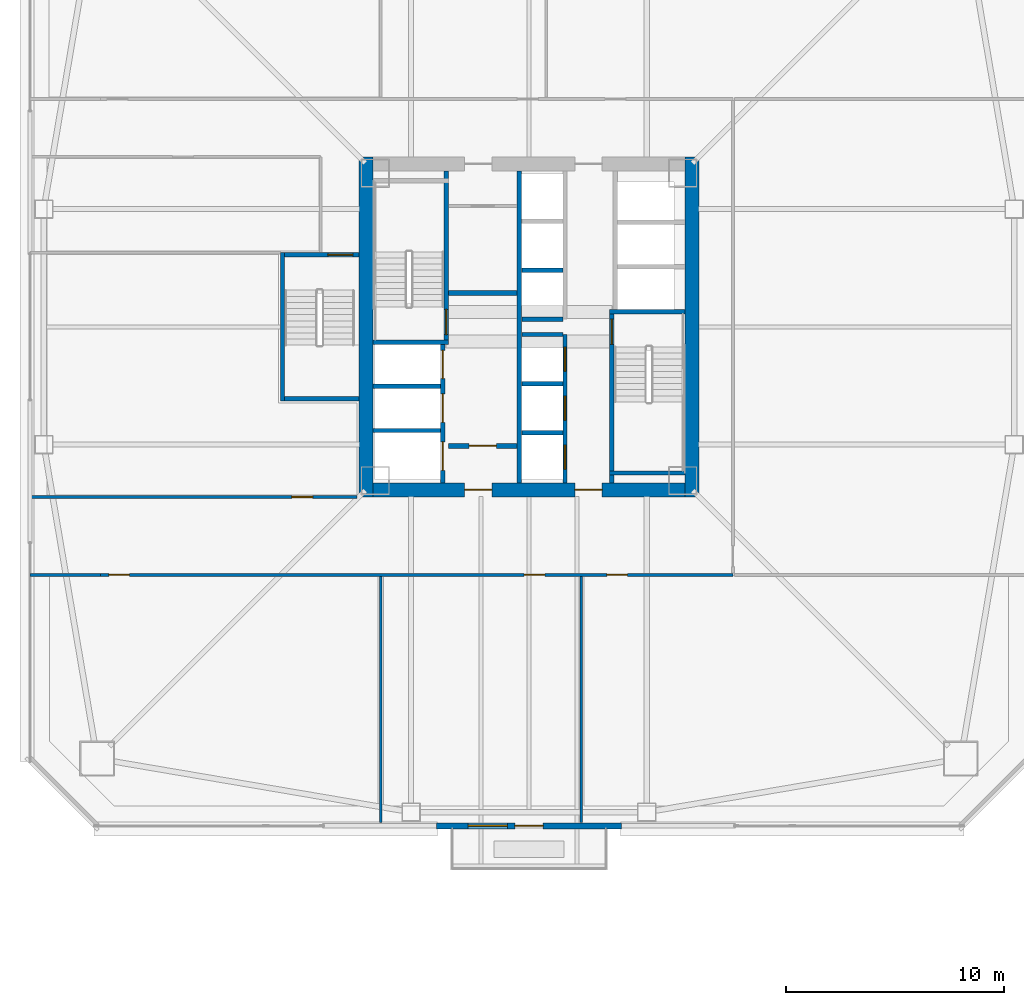
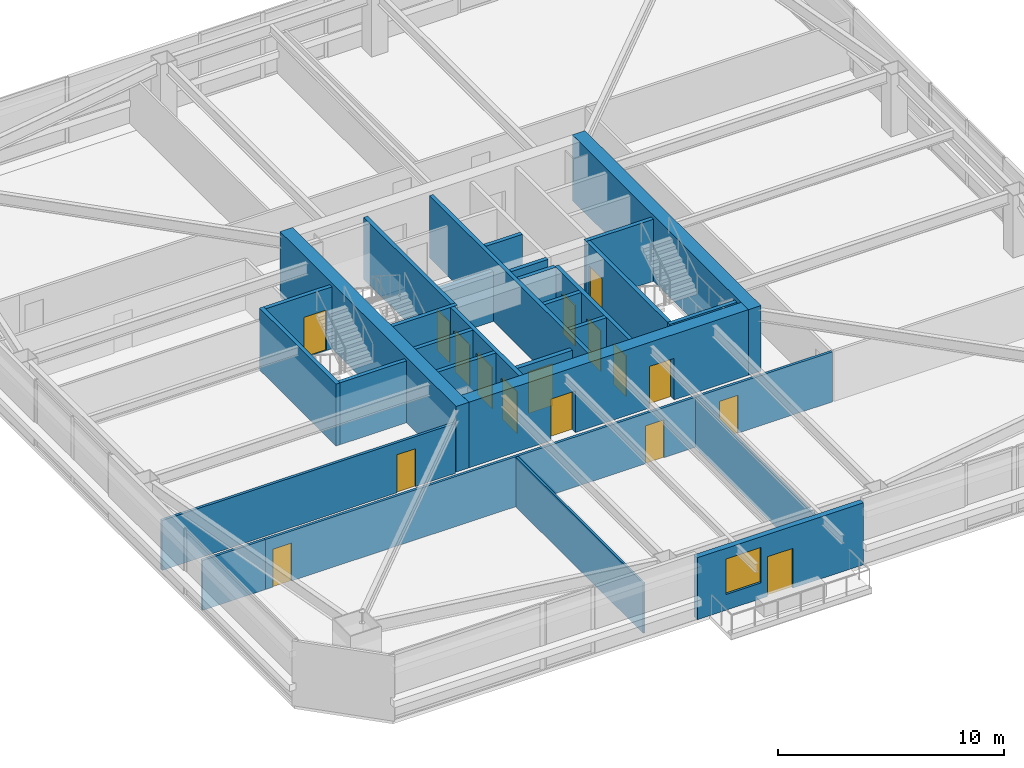
# One storey, part 33 of 45: 29 walls, 17 doors, 1 window, 18 openings.
"""IFC4 building model written with IfcOpenShell, lengths in metres."""

from ifc_helpers import new_model, si_unit, direction, frame, frame_2d, origin, place, context, subcontext, project, spatial, rectangle, extrude, material, layer, layer_set, type_object, element, fill, save


model = new_model("IFC4")

# Units and contexts
model_context = context("Model", 3, precision=1e-05, world=origin(), true_north=direction((0.0, 1.0)))
body_context = subcontext(model_context, "Body", "Model", "MODEL_VIEW")
ifc_project = project(units=[si_unit("LENGTHUNIT", "METRE"), si_unit("AREAUNIT", "SQUARE_METRE"), si_unit("VOLUMEUNIT", "CUBIC_METRE"), si_unit("PLANEANGLEUNIT", "RADIAN"), si_unit("MASSUNIT", "GRAM", prefix="KILO")], contexts=[model_context])

# Site, building, storey
site_placement = place(None, origin())
site = spatial("IfcSite", under=ifc_project, at=site_placement, CompositionType="ELEMENT")
building_placement = place(site_placement, origin())
building = spatial("IfcBuilding", under=site, at=building_placement, Name="Tashvorn Skyway Center", CompositionType="ELEMENT")
storey_placement = place(building_placement, frame((0.0, 0.0, 35.25)))
storey = spatial("IfcBuildingStorey", under=building, at=storey_placement, Name="L08", CompositionType="ELEMENT", Elevation=35.25)

# Walls
ifc_material_1 = material(Name="Concrete C60/75", Category="concrete")
ifc_layer_1 = layer(ifc_material_1, 0.64990234375)
ifc_layer_set_1 = layer_set([ifc_layer_1], Name="Concrete C60/75")
wall_type_1 = type_object("IfcWallType", Name="WALL-CORE-650", PredefinedType="SHEAR", material=ifc_layer_set_1)
for number, where, z_axis, x_axis, name in (
    (1, (34.52490234375, 24.199951171875, 0.0), (0.0, 0.0, 1.0), (0.0, 1.0, 0.0), "Tower 1 L08 West Core Shear Wall"),
    (2, (49.47509765625, 39.800048828125, 0.0), (0.0, 0.0, 1.0), (0.0, -1.0, 0.0), "Tower 1 L08 East Core Shear Wall"),
):
    element("IfcWall", number, at=place(storey_placement, frame(where, z_axis=z_axis, x_axis=x_axis)), inside=storey, type_object=wall_type_1, Name=name, PredefinedType="SHEAR", context=body_context, shape_type="SweptSolid", body=[
        extrude(rectangle(XDim=15.60009765625, YDim=0.64990234375, at=frame_2d((7.800048828125, 0.0))), origin(), (0.0, 0.0, 1.0), 3.550048828125),
    ])

# Wall, openings, doors
wall_1_placement = place(storey_placement, frame((49.14990234375, 24.52490234375, 0.0), z_axis=(0.0, 0.0, 1.0), x_axis=(-1.0, 0.0, 0.0)))
wall_1 = element("IfcWall", 3, at=wall_1_placement, inside=storey, type_object=wall_type_1, Name="Tower 1 L08 South Core Shear Wall", PredefinedType="SHEAR", context=body_context, shape_type="SweptSolid", body=[
    extrude(rectangle(XDim=14.2998046875, YDim=0.64990234375, at=frame_2d((7.14990234375, 0.0))), origin(), (0.0, 0.0, 1.0), 3.550048828125),
])
opening_1_placement = place(wall_1_placement, frame((8.85009765625, 0.0, 0.0)))
opening_1 = element("IfcOpeningElement", 4, at=opening_1_placement, cuts=wall_1, Name="Opening D-FFL-1250", PredefinedType="OPENING", context=body_context, shape_type="SweptSolid", body=[
    extrude(rectangle(XDim=1.25, YDim=2.25, at=frame_2d((0.625, 1.125))), frame((0.0, 0.3349609375, 0.0), z_axis=(0.0, -1.0, 0.0), x_axis=(1.0, 0.0, 0.0)), (0.0, 0.0, 1.0), 0.669921875),
])
opening_2_placement = place(wall_1_placement, frame((3.800048828125, 0.0, 0.0)))
opening_2 = element("IfcOpeningElement", 5, at=opening_2_placement, cuts=wall_1, Name="Opening D-FFL-1250", PredefinedType="OPENING", context=body_context, shape_type="SweptSolid", body=[
    extrude(rectangle(XDim=1.25, YDim=2.25, at=frame_2d((0.625, 1.125))), frame((0.0, 0.3349609375, 0.0), z_axis=(0.0, -1.0, 0.0), x_axis=(1.0, 0.0, 0.0)), (0.0, 0.0, 1.0), 0.669921875),
])
ifc_material_2 = material(Name="Hollow galvanized steel fire door assembly", Category="steel")
door_type_1 = type_object("IfcDoorType", Name="DOOR-FFL-1250", OperationType="NOTDEFINED", PredefinedType="DOOR", material=ifc_material_2)
door_1_placement = place(opening_1_placement, origin())
door_1 = element("IfcDoor", 6, at=door_1_placement, inside=storey, type_object=door_type_1, Name="Tower 1 L08 Core South Firefighting Exit Door", OperationType="SINGLE_SWING_LEFT", OverallHeight=2.25, OverallWidth=1.25, PredefinedType="DOOR", context=body_context, shape_type="SweptSolid", body=[
    extrude(rectangle(XDim=1.25, YDim=2.25, at=frame_2d((0.625, 1.125))), frame((0.0, 0.02490234375, 0.0), z_axis=(0.0, -1.0, 0.0), x_axis=(1.0, 0.0, 0.0)), (0.0, 0.0, 1.0), 0.050048828125),
])
fill(opening_1, door_1)
door_2_placement = place(opening_2_placement, origin())
door_2 = element("IfcDoor", 7, at=door_2_placement, inside=storey, type_object=door_type_1, Name="Tower 1 L08 Core South Lift Lobby Door", OperationType="SINGLE_SWING_RIGHT", OverallHeight=2.25, OverallWidth=1.25, PredefinedType="DOOR", context=body_context, shape_type="SweptSolid", body=[
    extrude(rectangle(XDim=1.25, YDim=2.25, at=frame_2d((0.625, 1.125))), frame((0.0, 0.02490234375, 0.0), z_axis=(0.0, -1.0, 0.0), x_axis=(1.0, 0.0, 0.0)), (0.0, 0.0, 1.0), 0.050048828125),
])
fill(opening_2, door_2)

# Wall, openings, door, window
ifc_material_3 = material(Name="Precast concrete C40/50", Category="concrete")
ifc_layer_2 = layer(ifc_material_3, 0.280029296875)
ifc_layer_set_2 = layer_set([ifc_layer_2], Name="Precast concrete C40/50")
wall_type_2 = type_object("IfcWallType", Name="WALL-EXT-280", PredefinedType="SOLIDWALL", material=ifc_layer_set_2)
wall_2_placement = place(storey_placement, frame((46.25, 9.1201171875, 0.0), z_axis=(0.0, 0.0, 1.0), x_axis=(-1.0, 0.0, 0.0)))
wall_2 = element("IfcWall", 8, at=wall_2_placement, inside=storey, type_object=wall_type_2, Name="Tower 1 L08 South Terrace Portal Wall", PredefinedType="SOLIDWALL", context=body_context, shape_type="SweptSolid", body=[
    extrude(rectangle(XDim=8.5, YDim=0.280029296875, at=frame_2d((4.25, 0.0))), origin(), (0.0, 0.0, 1.0), 3.35009765625),
])
opening_3_placement = place(wall_2_placement, frame((3.60009765625, 0.0, 0.0)))
opening_3 = element("IfcOpeningElement", 9, at=opening_3_placement, cuts=wall_2, Name="Opening D-TER-1300", PredefinedType="OPENING", context=body_context, shape_type="SweptSolid", body=[
    extrude(rectangle(XDim=1.300048828125, YDim=2.14990234375, at=frame_2d((0.64990234375, 1.074951171875))), frame((0.0, 0.14990234375, 0.0), z_axis=(0.0, -1.0, 0.0), x_axis=(1.0, 0.0, 0.0)), (0.0, 0.0, 1.0), 0.300048828125),
])
opening_4_placement = place(wall_2_placement, frame((5.239990234375, 0.0, 0.85009765625)))
opening_4 = element("IfcOpeningElement", 10, at=opening_4_placement, cuts=wall_2, Name="Opening WIN-1800", PredefinedType="OPENING", context=body_context, shape_type="SweptSolid", body=[
    extrude(rectangle(XDim=1.800048828125, YDim=1.919921875, at=frame_2d((0.89990234375, 0.9599609375))), frame((0.0, 0.14990234375, 0.0), z_axis=(0.0, -1.0, 0.0), x_axis=(1.0, 0.0, 0.0)), (0.0, 0.0, 1.0), 0.300048828125),
])
ifc_material_4 = material(Name="Thermally broken bronze-anodized aluminium 6063-T6", Category="aluminium")
door_type_2 = type_object("IfcDoorType", Name="DOOR-TERR-1300", OperationType="NOTDEFINED", PredefinedType="DOOR", material=ifc_material_4)
door_3_placement = place(opening_3_placement, origin())
door_3 = element("IfcDoor", 11, at=door_3_placement, inside=storey, type_object=door_type_2, Name="Tower 1 L08 Terrace Access Door", OperationType="SINGLE_SWING_RIGHT", OverallHeight=2.14990234375, OverallWidth=1.300048828125, PredefinedType="DOOR", context=body_context, shape_type="SweptSolid", body=[
    extrude(rectangle(XDim=1.300048828125, YDim=2.14990234375, at=frame_2d((0.64990234375, 1.074951171875))), frame((0.0, 0.02490234375, 0.0), z_axis=(0.0, -1.0, 0.0), x_axis=(1.0, 0.0, 0.0)), (0.0, 0.0, 1.0), 0.050048828125),
])
fill(opening_3, door_3)
ifc_material_5 = material(Name="Low-E solar-control double insulating safety glass", Category="glass")
window_type = type_object("IfcWindowType", Name="WIN-TERR-1800", PartitioningType="SINGLE_PANEL", PredefinedType="WINDOW", material=ifc_material_5)
window_placement = place(opening_4_placement, origin())
window = element("IfcWindow", 12, at=window_placement, inside=storey, type_object=window_type, Name="Tower 1 L08 Terrace Window", OverallHeight=1.919921875, OverallWidth=1.800048828125, PartitioningType="SINGLE_PANEL", PredefinedType="WINDOW", context=body_context, shape_type="SweptSolid", body=[
    extrude(rectangle(XDim=1.800048828125, YDim=1.919921875, at=frame_2d((0.89990234375, 0.9599609375))), frame((0.0, 0.030029296875, 0.0), z_axis=(0.0, -1.0, 0.0), x_axis=(1.0, 0.0, 0.0)), (0.0, 0.0, 1.0), 0.06005859375),
])
fill(opening_4, window)

# Wall
ifc_material_6 = material(Name="Concrete C40/50", Category="concrete")
ifc_layer_3 = layer(ifc_material_6, 0.219970703125)
ifc_layer_set_3 = layer_set([ifc_layer_3], Name="Concrete C40/50")
wall_type_3 = type_object("IfcWallType", Name="WALL-FFL-220", PredefinedType="SOLIDWALL", material=ifc_layer_set_3)
wall_3_placement = place(storey_placement, frame((38.300048828125, 33.56005859375, 0.0), z_axis=(0.0, 0.0, 1.0), x_axis=(1.0, 0.0, 0.0)))
element("IfcWall", 13, at=wall_3_placement, inside=storey, type_object=wall_type_3, Name="Tower 1 L08 Firefighting Lobby North Wall", PredefinedType="SOLIDWALL", context=body_context, shape_type="SweptSolid", body=[
    extrude(rectangle(XDim=3.14990234375, YDim=0.219970703125, at=frame_2d((1.574951171875, 0.0))), origin(), (0.0, 0.0, 1.0), 2.702880859375),
])

# Wall, opening, door
wall_4_placement = place(storey_placement, frame((38.300048828125, 26.5400390625, 0.0), z_axis=(0.0, 0.0, 1.0), x_axis=(1.0, 0.0, 0.0)))
wall_4 = element("IfcWall", 14, at=wall_4_placement, inside=storey, type_object=wall_type_3, Name="Tower 1 L08 Firefighting Lobby South Wall", PredefinedType="SOLIDWALL", context=body_context, shape_type="SweptSolid", body=[
    extrude(rectangle(XDim=3.14990234375, YDim=0.219970703125, at=frame_2d((1.574951171875, 0.0))), origin(), (0.0, 0.0, 1.0), 2.702880859375),
])
opening_5_placement = place(wall_4_placement, frame((0.949951171875, 0.0, 0.0)))
opening_5 = element("IfcOpeningElement", 15, at=opening_5_placement, cuts=wall_4, Name="Opening D-FFL-1250", PredefinedType="OPENING", context=body_context, shape_type="SweptSolid", body=[
    extrude(rectangle(XDim=1.25, YDim=2.25, at=frame_2d((0.625, 1.125))), frame((0.0, 0.119873046875, 0.0), z_axis=(0.0, -1.0, 0.0), x_axis=(1.0, 0.0, 0.0)), (0.0, 0.0, 1.0), 0.239990234375),
])
door_4_placement = place(opening_5_placement, origin())
door_4 = element("IfcDoor", 16, at=door_4_placement, inside=storey, type_object=door_type_1, Name="Tower 1 L08 Firefighting Lobby Egress Door", OperationType="SINGLE_SWING_LEFT", OverallHeight=2.25, OverallWidth=1.25, PredefinedType="DOOR", context=body_context, shape_type="SweptSolid", body=[
    extrude(rectangle(XDim=1.25, YDim=2.25, at=frame_2d((0.625, 1.125))), frame((0.0, 0.02490234375, 0.0), z_axis=(0.0, -1.0, 0.0), x_axis=(1.0, 0.0, 0.0)), (0.0, 0.0, 1.0), 0.050048828125),
])
fill(opening_5, door_4)

# Walls
ifc_material_7 = material(Name="Gypsum board on cold-formed steel stud framing", Category="steel")
ifc_layer_4 = layer(ifc_material_7, 0.110107421875)
ifc_layer_set_4 = layer_set([ifc_layer_4], Name="Gypsum board on cold-formed steel stud framing")
wall_type_4 = type_object("IfcWallType", Name="WALL-PART-110", PredefinedType="PARTITIONING", material=ifc_layer_set_4)
for number, where, z_axis, x_axis, name in (
    (17, (35.199951171875, 9.27001953125, 0.0), (0.0, 0.0, 1.0), (0.0, 1.0, 0.0), "Tower 1 L08 South Suite Partition 1"),
    (18, (44.39990234375, 9.27001953125, 0.0), (0.0, 0.0, 1.0), (0.0, 1.0, 0.0), "Tower 1 L08 South Suite Partition 2"),
):
    element("IfcWall", number, at=place(storey_placement, frame(where, z_axis=z_axis, x_axis=x_axis)), inside=storey, type_object=wall_type_4, Name=name, PredefinedType="PARTITIONING", context=body_context, shape_type="SweptSolid", body=[
        extrude(rectangle(XDim=11.280029296875, YDim=0.110107421875, at=frame_2d((5.64013671875, 0.0))), origin(), (0.0, 0.0, 1.0), 2.702880859375),
    ])

# Wall, openings, doors
ifc_layer_5 = layer(ifc_material_7, 0.135009765625)
ifc_layer_set_5 = layer_set([ifc_layer_5], Name="Gypsum board on cold-formed steel stud framing")
wall_type_5 = type_object("IfcWallType", Name="WALL-PART-135", PredefinedType="PARTITIONING", material=ifc_layer_set_5)
wall_5_placement = place(storey_placement, frame((51.35009765625, 20.6298828125, 0.0), z_axis=(0.0, 0.0, 1.0), x_axis=(-1.0, 0.0, 0.0)))
wall_5 = element("IfcWall", 19, at=wall_5_placement, inside=storey, type_object=wall_type_5, Name="Tower 1 L08 South Suite Wall", PredefinedType="PARTITIONING", context=body_context, shape_type="SweptSolid", body=[
    extrude(rectangle(XDim=29.0, YDim=0.135009765625, at=frame_2d((14.5, 0.0))), origin(), (0.0, 0.0, 1.0), 2.702880859375),
])
opening_6_placement = place(wall_5_placement, frame((27.669921875, 0.0, 0.0)))
opening_6 = element("IfcOpeningElement", 20, at=opening_6_placement, cuts=wall_5, Name="Opening D-INT-950", PredefinedType="OPENING", context=body_context, shape_type="SweptSolid", body=[
    extrude(rectangle(XDim=0.949951171875, YDim=2.050048828125, at=frame_2d((0.47509765625, 1.02490234375))), frame((0.0, 0.077392578125, 0.0), z_axis=(0.0, -1.0, 0.0), x_axis=(1.0, 0.0, 0.0)), (0.0, 0.0, 1.0), 0.155029296875),
])
opening_7_placement = place(wall_5_placement, frame((8.621337890625, 0.0, 0.0)))
opening_7 = element("IfcOpeningElement", 21, at=opening_7_placement, cuts=wall_5, Name="Opening D-INT-950", PredefinedType="OPENING", context=body_context, shape_type="SweptSolid", body=[
    extrude(rectangle(XDim=0.949951171875, YDim=2.050048828125, at=frame_2d((0.47509765625, 1.02490234375))), frame((0.0, 0.077392578125, 0.0), z_axis=(0.0, -1.0, 0.0), x_axis=(1.0, 0.0, 0.0)), (0.0, 0.0, 1.0), 0.155029296875),
])
opening_8_placement = place(wall_5_placement, frame((4.833984375, 0.0, 0.0)))
opening_8 = element("IfcOpeningElement", 22, at=opening_8_placement, cuts=wall_5, Name="Opening D-INT-950", PredefinedType="OPENING", context=body_context, shape_type="SweptSolid", body=[
    extrude(rectangle(XDim=0.949951171875, YDim=2.050048828125, at=frame_2d((0.47509765625, 1.02490234375))), frame((0.0, 0.077392578125, 0.0), z_axis=(0.0, -1.0, 0.0), x_axis=(1.0, 0.0, 0.0)), (0.0, 0.0, 1.0), 0.155029296875),
])
ifc_material_8 = material(Name="Solid-core architectural oak veneer door")
door_type_3 = type_object("IfcDoorType", Name="DOOR-INT-950", OperationType="NOTDEFINED", PredefinedType="DOOR", material=ifc_material_8)
door_5_placement = place(opening_6_placement, origin())
door_5 = element("IfcDoor", 23, at=door_5_placement, inside=storey, type_object=door_type_3, Name="Tower 1 L08 Gallery Showroom Door", OperationType="SINGLE_SWING_RIGHT", OverallHeight=2.050048828125, OverallWidth=0.949951171875, PredefinedType="DOOR", context=body_context, shape_type="SweptSolid", body=[
    extrude(rectangle(XDim=0.949951171875, YDim=2.050048828125, at=frame_2d((0.47509765625, 1.02490234375))), frame((0.0, 0.02490234375, 0.0), z_axis=(0.0, -1.0, 0.0), x_axis=(1.0, 0.0, 0.0)), (0.0, 0.0, 1.0), 0.050048828125),
])
fill(opening_6, door_5)
door_6_placement = place(opening_7_placement, origin())
door_6 = element("IfcDoor", 24, at=door_6_placement, inside=storey, type_object=door_type_3, Name="Tower 1 L08 Reading Lounge Door", OperationType="SINGLE_SWING_LEFT", OverallHeight=2.050048828125, OverallWidth=0.949951171875, PredefinedType="DOOR", context=body_context, shape_type="SweptSolid", body=[
    extrude(rectangle(XDim=0.949951171875, YDim=2.050048828125, at=frame_2d((0.47509765625, 1.02490234375))), frame((0.0, 0.02490234375, 0.0), z_axis=(0.0, -1.0, 0.0), x_axis=(1.0, 0.0, 0.0)), (0.0, 0.0, 1.0), 0.050048828125),
])
fill(opening_7, door_6)
door_7_placement = place(opening_8_placement, origin())
door_7 = element("IfcDoor", 25, at=door_7_placement, inside=storey, type_object=door_type_3, Name="Tower 1 L08 Reading Lounge Door", OperationType="SINGLE_SWING_RIGHT", OverallHeight=2.050048828125, OverallWidth=0.949951171875, PredefinedType="DOOR", context=body_context, shape_type="SweptSolid", body=[
    extrude(rectangle(XDim=0.949951171875, YDim=2.050048828125, at=frame_2d((0.47509765625, 1.02490234375))), frame((0.0, 0.02490234375, 0.0), z_axis=(0.0, -1.0, 0.0), x_axis=(1.0, 0.0, 0.0)), (0.0, 0.0, 1.0), 0.050048828125),
])
fill(opening_8, door_7)

# Wall
wall_6_placement = place(storey_placement, frame((19.1201171875, 20.6298828125, 0.0), z_axis=(0.0, 0.0, 1.0), x_axis=(1.0, 0.0, 0.0)))
element("IfcWall", 26, at=wall_6_placement, inside=storey, type_object=wall_type_5, Name="Tower 1 L08 South-West Suite North Wall", PredefinedType="PARTITIONING", context=body_context, shape_type="SweptSolid", body=[
    extrude(rectangle(XDim=3.22998046875, YDim=0.135009765625, at=frame_2d((1.614990234375, 0.0))), origin(), (0.0, 0.0, 1.0), 2.702880859375),
])

# Wall, opening, door
wall_7_placement = place(storey_placement, frame((19.1201171875, 24.199951171875, 0.0), z_axis=(0.0, 0.0, 1.0), x_axis=(1.0, 0.0, 0.0)))
wall_7 = element("IfcWall", 27, at=wall_7_placement, inside=storey, type_object=wall_type_5, Name="Tower 1 L08 West Suite South Wall", PredefinedType="PARTITIONING", context=body_context, shape_type="SweptSolid", body=[
    extrude(rectangle(XDim=15.0, YDim=0.135009765625, at=frame_2d((7.5, 0.0))), origin(), (0.0, 0.0, 1.0), 2.702880859375),
])
opening_9_placement = place(wall_7_placement, frame((12.0048828125, 0.0, 0.0)))
opening_9 = element("IfcOpeningElement", 28, at=opening_9_placement, cuts=wall_7, Name="Opening D-INT-950", PredefinedType="OPENING", context=body_context, shape_type="SweptSolid", body=[
    extrude(rectangle(XDim=0.949951171875, YDim=2.050048828125, at=frame_2d((0.47509765625, 1.02490234375))), frame((0.0, 0.077392578125, 0.0), z_axis=(0.0, -1.0, 0.0), x_axis=(1.0, 0.0, 0.0)), (0.0, 0.0, 1.0), 0.155029296875),
])
door_8_placement = place(opening_9_placement, origin())
door_8 = element("IfcDoor", 29, at=door_8_placement, inside=storey, type_object=door_type_3, Name="Tower 1 L08 Public Restroom Door", OperationType="SINGLE_SWING_LEFT", OverallHeight=2.050048828125, OverallWidth=0.949951171875, PredefinedType="DOOR", context=body_context, shape_type="SweptSolid", body=[
    extrude(rectangle(XDim=0.949951171875, YDim=2.050048828125, at=frame_2d((0.47509765625, 1.02490234375))), frame((0.0, 0.02490234375, 0.0), z_axis=(0.0, -1.0, 0.0), x_axis=(1.0, 0.0, 0.0)), (0.0, 0.0, 1.0), 0.050048828125),
])
fill(opening_9, door_8)

# Walls
ifc_layer_6 = layer(ifc_material_6, 0.199951171875)
ifc_layer_set_6 = layer_set([ifc_layer_6], Name="Concrete C40/50")
wall_type_6 = type_object("IfcWallType", Name="WALL-SHAFT-200", PredefinedType="SOLIDWALL", material=ifc_layer_set_6)
for number, where, z_axis, x_axis, name in (
    (30, (34.85009765625, 27.25, 0.0), (0.0, 0.0, 1.0), (1.0, 0.0, 0.0), "Tower 1 L08 FSAE Shaft Divider"),
    (31, (34.85009765625, 29.280029296875, 0.0), (0.0, 0.0, 1.0), (1.0, 0.0, 0.0), "Tower 1 L08 FSAE Shaft Divider"),
):
    element("IfcWall", number, at=place(storey_placement, frame(where, z_axis=z_axis, x_axis=x_axis)), inside=storey, type_object=wall_type_6, Name=name, PredefinedType="SOLIDWALL", context=body_context, shape_type="SweptSolid", body=[
        extrude(rectangle(XDim=3.099853515625, YDim=0.199951171875, at=frame_2d((1.5498046875, 0.0))), origin(), (0.0, 0.0, 1.0), 3.35009765625),
    ])

# Wall, openings, doors
wall_8_placement = place(storey_placement, frame((43.64990234375, 24.85009765625, 0.0), z_axis=(0.0, 0.0, 1.0), x_axis=(0.0, 1.0, 0.0)))
wall_8 = element("IfcWall", 32, at=wall_8_placement, inside=storey, type_object=wall_type_6, Name="Tower 1 L08 Low-Rise Core Wall", PredefinedType="SOLIDWALL", context=body_context, shape_type="SweptSolid", body=[
    extrude(rectangle(XDim=6.7998046875, YDim=0.199951171875, at=frame_2d((3.39990234375, 0.0))), origin(), (0.0, 0.0, 1.0), 3.35009765625),
])
opening_10_placement = place(wall_8_placement, frame((0.625, 0.0, 0.0)))
opening_10 = element("IfcOpeningElement", 33, at=opening_10_placement, cuts=wall_8, Name="Opening LD-LR-T1-1-L08", PredefinedType="OPENING", context=body_context, shape_type="SweptSolid", body=[
    extrude(rectangle(XDim=1.10009765625, YDim=2.199951171875, at=frame_2d((0.550048828125, 1.10009765625))), frame((0.0, 0.10986328125, 0.0), z_axis=(0.0, -1.0, 0.0), x_axis=(1.0, 0.0, 0.0)), (0.0, 0.0, 1.0), 0.219970703125),
])
opening_11_placement = place(wall_8_placement, frame((2.875, 0.0, 0.0)))
opening_11 = element("IfcOpeningElement", 34, at=opening_11_placement, cuts=wall_8, Name="Opening LD-LR-T1-2-L08", PredefinedType="OPENING", context=body_context, shape_type="SweptSolid", body=[
    extrude(rectangle(XDim=1.10009765625, YDim=2.199951171875, at=frame_2d((0.550048828125, 1.10009765625))), frame((0.0, 0.10986328125, 0.0), z_axis=(0.0, -1.0, 0.0), x_axis=(1.0, 0.0, 0.0)), (0.0, 0.0, 1.0), 0.219970703125),
])
opening_12_placement = place(wall_8_placement, frame((5.125, 0.0, 0.0)))
opening_12 = element("IfcOpeningElement", 35, at=opening_12_placement, cuts=wall_8, Name="Opening LD-LR-T1-3-L08", PredefinedType="OPENING", context=body_context, shape_type="SweptSolid", body=[
    extrude(rectangle(XDim=1.10009765625, YDim=2.199951171875, at=frame_2d((0.550048828125, 1.10009765625))), frame((0.0, 0.10986328125, 0.0), z_axis=(0.0, -1.0, 0.0), x_axis=(1.0, 0.0, 0.0)), (0.0, 0.0, 1.0), 0.219970703125),
])
ifc_material_9 = material(Name="Stainless steel landing door", Category="steel")
door_type_4 = type_object("IfcDoorType", Name="DOOR-LIFT-1100", OperationType="SLIDING_TO_LEFT", PredefinedType="DOOR", material=ifc_material_9)
door_9_placement = place(opening_10_placement, origin())
door_9 = element("IfcDoor", 36, at=door_9_placement, inside=storey, type_object=door_type_4, Name="Lift LR-T1-1 L08 Landing Door", OperationType="SLIDING_TO_LEFT", OverallHeight=2.199951171875, OverallWidth=1.10009765625, PredefinedType="DOOR", context=body_context, shape_type="SweptSolid", body=[
    extrude(rectangle(XDim=1.10009765625, YDim=2.199951171875, at=frame_2d((0.550048828125, 1.10009765625))), frame((0.0, 0.02490234375, 0.0), z_axis=(0.0, -1.0, 0.0), x_axis=(1.0, 0.0, 0.0)), (0.0, 0.0, 1.0), 0.050048828125),
])
fill(opening_10, door_9)
door_10_placement = place(opening_11_placement, origin())
door_10 = element("IfcDoor", 37, at=door_10_placement, inside=storey, type_object=door_type_4, Name="Lift LR-T1-2 L08 Landing Door", OperationType="SLIDING_TO_LEFT", OverallHeight=2.199951171875, OverallWidth=1.10009765625, PredefinedType="DOOR", context=body_context, shape_type="SweptSolid", body=[
    extrude(rectangle(XDim=1.10009765625, YDim=2.199951171875, at=frame_2d((0.550048828125, 1.10009765625))), frame((0.0, 0.02490234375, 0.0), z_axis=(0.0, -1.0, 0.0), x_axis=(1.0, 0.0, 0.0)), (0.0, 0.0, 1.0), 0.050048828125),
])
fill(opening_11, door_10)
door_11_placement = place(opening_12_placement, origin())
door_11 = element("IfcDoor", 38, at=door_11_placement, inside=storey, type_object=door_type_4, Name="Lift LR-T1-3 L08 Landing Door", OperationType="SLIDING_TO_LEFT", OverallHeight=2.199951171875, OverallWidth=1.10009765625, PredefinedType="DOOR", context=body_context, shape_type="SweptSolid", body=[
    extrude(rectangle(XDim=1.10009765625, YDim=2.199951171875, at=frame_2d((0.550048828125, 1.10009765625))), frame((0.0, 0.02490234375, 0.0), z_axis=(0.0, -1.0, 0.0), x_axis=(1.0, 0.0, 0.0)), (0.0, 0.0, 1.0), 0.050048828125),
])
fill(opening_12, door_11)

# Walls
for number, where, z_axis, x_axis, name in (
    (39, (41.669921875, 27.14990234375, 0.0), (0.0, 0.0, 1.0), (1.0, 0.0, 0.0), "Tower 1 L08 Low-Rise Shaft Divider"),
    (40, (41.669921875, 29.39990234375, 0.0), (0.0, 0.0, 1.0), (1.0, 0.0, 0.0), "Tower 1 L08 Low-Rise Shaft Divider"),
    (41, (41.669921875, 31.64990234375, 0.0), (0.0, 0.0, 1.0), (1.0, 0.0, 0.0), "Tower 1 L08 Low-Rise Shaft Divider"),
    (42, (41.669921875, 32.35009765625, 0.0), (0.0, 0.0, 1.0), (1.0, 0.0, 0.0), "Tower 1 L08 Mid-Rise Shaft Divider"),
    (43, (41.669921875, 34.60009765625, 0.0), (0.0, 0.0, 1.0), (1.0, 0.0, 0.0), "Tower 1 L08 Mid-Rise Shaft Divider"),
):
    element("IfcWall", number, at=place(storey_placement, frame(where, z_axis=z_axis, x_axis=x_axis)), inside=storey, type_object=wall_type_6, Name=name, PredefinedType="SOLIDWALL", context=body_context, shape_type="SweptSolid", body=[
        extrude(rectangle(XDim=1.880126953125, YDim=0.199951171875, at=frame_2d((0.93994140625, 0.0))), origin(), (0.0, 0.0, 1.0), 3.35009765625),
    ])

# Wall, opening, door
ifc_layer_7 = layer(ifc_material_6, 0.199951171875)
ifc_layer_set_7 = layer_set([ifc_layer_7], Name="Concrete C40/50")
wall_type_7 = type_object("IfcWallType", Name="WALL-STSHF-200", PredefinedType="SHEAR", material=ifc_layer_set_7)
wall_9_placement = place(storey_placement, frame((38.199951171875, 31.199951171875, 0.0), z_axis=(0.0, 0.0, 1.0), x_axis=(0.0, 1.0, 0.0)))
wall_9 = element("IfcWall", 44, at=wall_9_placement, inside=storey, type_object=wall_type_7, Name="Tower 1 L08 Stair 1 Enclosure Wall", PredefinedType="SHEAR", context=body_context, shape_type="SweptSolid", body=[
    extrude(rectangle(XDim=7.949951171875, YDim=0.199951171875, at=frame_2d((3.97509765625, 0.0))), origin(), (0.0, 0.0, 1.0), 3.35009765625),
])
opening_13_placement = place(wall_9_placement, frame((0.449951171875, 0.0, 0.0)))
opening_13 = element("IfcOpeningElement", 45, at=opening_13_placement, cuts=wall_9, Name="Opening D-ST-1150", PredefinedType="OPENING", context=body_context, shape_type="SweptSolid", body=[
    extrude(rectangle(XDim=1.14990234375, YDim=2.199951171875, at=frame_2d((0.574951171875, 1.10009765625))), frame((0.0, 0.10986328125, 0.0), z_axis=(0.0, -1.0, 0.0), x_axis=(1.0, 0.0, 0.0)), (0.0, 0.0, 1.0), 0.219970703125),
])
door_type_5 = type_object("IfcDoorType", Name="DOOR-STAIR-1150", OperationType="NOTDEFINED", PredefinedType="DOOR", material=ifc_material_2)
door_12_placement = place(opening_13_placement, origin())
door_12 = element("IfcDoor", 46, at=door_12_placement, inside=storey, type_object=door_type_5, Name="Tower 1 L08 Exit Stair 1 Door", OperationType="SINGLE_SWING_RIGHT", OverallHeight=2.199951171875, OverallWidth=1.14990234375, PredefinedType="DOOR", context=body_context, shape_type="SweptSolid", body=[
    extrude(rectangle(XDim=1.14990234375, YDim=2.199951171875, at=frame_2d((0.574951171875, 1.10009765625))), frame((0.0, 0.02490234375, 0.0), z_axis=(0.0, -1.0, 0.0), x_axis=(1.0, 0.0, 0.0)), (0.0, 0.0, 1.0), 0.050048828125),
])
fill(opening_13, door_12)

# Wall
wall_10_placement = place(storey_placement, frame((34.85009765625, 31.300048828125, 0.0), z_axis=(0.0, 0.0, 1.0), x_axis=(1.0, 0.0, 0.0)))
element("IfcWall", 47, at=wall_10_placement, inside=storey, type_object=wall_type_7, Name="Tower 1 L08 Stair 1 South Wall", PredefinedType="SHEAR", context=body_context, shape_type="SweptSolid", body=[
    extrude(rectangle(XDim=3.449951171875, YDim=0.199951171875, at=frame_2d((1.72509765625, 0.0))), origin(), (0.0, 0.0, 1.0), 3.35009765625),
])

# Wall, opening, door
wall_11_placement = place(storey_placement, frame((45.800048828125, 32.800048828125, 0.0), z_axis=(0.0, 0.0, 1.0), x_axis=(0.0, -1.0, 0.0)))
wall_11 = element("IfcWall", 48, at=wall_11_placement, inside=storey, type_object=wall_type_7, Name="Tower 1 L08 Stair 2 Enclosure Wall", PredefinedType="SHEAR", context=body_context, shape_type="SweptSolid", body=[
    extrude(rectangle(XDim=7.949951171875, YDim=0.199951171875, at=frame_2d((3.97509765625, 0.0))), origin(), (0.0, 0.0, 1.0), 3.35009765625),
])
opening_14_placement = place(wall_11_placement, frame((0.449951171875, 0.0, 0.0)))
opening_14 = element("IfcOpeningElement", 49, at=opening_14_placement, cuts=wall_11, Name="Opening D-ST-1150", PredefinedType="OPENING", context=body_context, shape_type="SweptSolid", body=[
    extrude(rectangle(XDim=1.14990234375, YDim=2.199951171875, at=frame_2d((0.574951171875, 1.10009765625))), frame((0.0, 0.10986328125, 0.0), z_axis=(0.0, -1.0, 0.0), x_axis=(1.0, 0.0, 0.0)), (0.0, 0.0, 1.0), 0.219970703125),
])
door_13_placement = place(opening_14_placement, origin())
door_13 = element("IfcDoor", 50, at=door_13_placement, inside=storey, type_object=door_type_5, Name="Tower 1 L08 Exit Stair 2 Door", OperationType="SINGLE_SWING_RIGHT", OverallHeight=2.199951171875, OverallWidth=1.14990234375, PredefinedType="DOOR", context=body_context, shape_type="SweptSolid", body=[
    extrude(rectangle(XDim=1.14990234375, YDim=2.199951171875, at=frame_2d((0.574951171875, 1.10009765625))), frame((0.0, 0.02490234375, 0.0), z_axis=(0.0, -1.0, 0.0), x_axis=(1.0, 0.0, 0.0)), (0.0, 0.0, 1.0), 0.050048828125),
])
fill(opening_14, door_13)

# Walls
for number, where, z_axis, x_axis, name in (
    (51, (45.699951171875, 32.699951171875, 0.0), (0.0, 0.0, 1.0), (1.0, 0.0, 0.0), "Tower 1 L08 Stair 2 North Wall"),
    (52, (45.699951171875, 25.300048828125, 0.0), (0.0, 0.0, 1.0), (1.0, 0.0, 0.0), "Tower 1 L08 Stair 2 South Wall"),
):
    element("IfcWall", number, at=place(storey_placement, frame(where, z_axis=z_axis, x_axis=x_axis)), inside=storey, type_object=wall_type_7, Name=name, PredefinedType="SHEAR", context=body_context, shape_type="SweptSolid", body=[
        extrude(rectangle(XDim=3.449951171875, YDim=0.199951171875, at=frame_2d((1.72509765625, 0.0))), origin(), (0.0, 0.0, 1.0), 3.35009765625),
    ])
wall_12_placement = place(storey_placement, frame((41.56005859375, 24.85009765625, 0.0), z_axis=(0.0, 0.0, 1.0), x_axis=(0.0, 1.0, 0.0)))
element("IfcWall", 53, at=wall_12_placement, inside=storey, type_object=wall_type_7, Name="Tower 1 L08 Firefighting Lobby East Smoke Barrier", PredefinedType="SHEAR", context=body_context, shape_type="SweptSolid", body=[
    extrude(rectangle(XDim=14.2998046875, YDim=0.199951171875, at=frame_2d((7.14990234375, 0.0))), origin(), (0.0, 0.0, 1.0), 3.35009765625),
])

# Wall, openings, doors
wall_13_placement = place(storey_placement, frame((38.050048828125, 24.85009765625, 0.0), z_axis=(0.0, 0.0, 1.0), x_axis=(0.0, 1.0, 0.0)))
wall_13 = element("IfcWall", 54, at=wall_13_placement, inside=storey, type_object=wall_type_7, Name="Tower 1 L08 FSAE and Goods Shaft Front Wall", PredefinedType="SHEAR", context=body_context, shape_type="SweptSolid", body=[
    extrude(rectangle(XDim=6.349853515625, YDim=0.199951171875, at=frame_2d((3.1748046875, 0.0))), origin(), (0.0, 0.0, 1.0), 3.35009765625),
])
opening_15_placement = place(wall_13_placement, frame((4.77490234375, 0.0, 0.0)))
opening_15 = element("IfcOpeningElement", 55, at=opening_15_placement, cuts=wall_13, Name="Opening LD-FF-T1-1-L08", PredefinedType="OPENING", context=body_context, shape_type="SweptSolid", body=[
    extrude(rectangle(XDim=1.300048828125, YDim=2.25, at=frame_2d((0.64990234375, 1.125))), frame((0.0, 0.10986328125, 0.0), z_axis=(0.0, -1.0, 0.0), x_axis=(1.0, 0.0, 0.0)), (0.0, 0.0, 1.0), 0.219970703125),
])
opening_16_placement = place(wall_13_placement, frame((2.77490234375, 0.0, 0.0)))
opening_16 = element("IfcOpeningElement", 56, at=opening_16_placement, cuts=wall_13, Name="Opening LD-FF-T1-2-L08", PredefinedType="OPENING", context=body_context, shape_type="SweptSolid", body=[
    extrude(rectangle(XDim=1.300048828125, YDim=2.25, at=frame_2d((0.64990234375, 1.125))), frame((0.0, 0.10986328125, 0.0), z_axis=(0.0, -1.0, 0.0), x_axis=(1.0, 0.0, 0.0)), (0.0, 0.0, 1.0), 0.219970703125),
])
opening_17_placement = place(wall_13_placement, frame((0.574951171875, 0.0, 0.0)))
opening_17 = element("IfcOpeningElement", 57, at=opening_17_placement, cuts=wall_13, Name="Opening LD-GD-T1-1-L08", PredefinedType="OPENING", context=body_context, shape_type="SweptSolid", body=[
    extrude(rectangle(XDim=1.300048828125, YDim=2.25, at=frame_2d((0.64990234375, 1.125))), frame((0.0, 0.10986328125, 0.0), z_axis=(0.0, -1.0, 0.0), x_axis=(1.0, 0.0, 0.0)), (0.0, 0.0, 1.0), 0.219970703125),
])
ifc_material_10 = material(Name="Stainless steel heavy-duty landing door", Category="steel")
door_type_6 = type_object("IfcDoorType", Name="DOOR-LIFT-1300", OperationType="SLIDING_TO_LEFT", PredefinedType="DOOR", material=ifc_material_10)
door_14_placement = place(opening_15_placement, origin())
door_14 = element("IfcDoor", 58, at=door_14_placement, inside=storey, type_object=door_type_6, Name="Lift FF-T1-1 L08 Landing Door", OperationType="SLIDING_TO_LEFT", OverallHeight=2.25, OverallWidth=1.300048828125, PredefinedType="DOOR", context=body_context, shape_type="SweptSolid", body=[
    extrude(rectangle(XDim=1.300048828125, YDim=2.25, at=frame_2d((0.64990234375, 1.125))), frame((0.0, 0.02490234375, 0.0), z_axis=(0.0, -1.0, 0.0), x_axis=(1.0, 0.0, 0.0)), (0.0, 0.0, 1.0), 0.050048828125),
])
fill(opening_15, door_14)
door_15_placement = place(opening_16_placement, origin())
door_15 = element("IfcDoor", 59, at=door_15_placement, inside=storey, type_object=door_type_6, Name="Lift FF-T1-2 L08 Landing Door", OperationType="SLIDING_TO_LEFT", OverallHeight=2.25, OverallWidth=1.300048828125, PredefinedType="DOOR", context=body_context, shape_type="SweptSolid", body=[
    extrude(rectangle(XDim=1.300048828125, YDim=2.25, at=frame_2d((0.64990234375, 1.125))), frame((0.0, 0.02490234375, 0.0), z_axis=(0.0, -1.0, 0.0), x_axis=(1.0, 0.0, 0.0)), (0.0, 0.0, 1.0), 0.050048828125),
])
fill(opening_16, door_15)
door_16_placement = place(opening_17_placement, origin())
door_16 = element("IfcDoor", 60, at=door_16_placement, inside=storey, type_object=door_type_6, Name="Lift GD-T1-1 L08 Landing Door", OperationType="SLIDING_TO_LEFT", OverallHeight=2.25, OverallWidth=1.300048828125, PredefinedType="DOOR", context=body_context, shape_type="SweptSolid", body=[
    extrude(rectangle(XDim=1.300048828125, YDim=2.25, at=frame_2d((0.64990234375, 1.125))), frame((0.0, 0.02490234375, 0.0), z_axis=(0.0, -1.0, 0.0), x_axis=(1.0, 0.0, 0.0)), (0.0, 0.0, 1.0), 0.050048828125),
])
fill(opening_17, door_16)

# Wall
wall_14_placement = place(storey_placement, frame((30.699951171875, 28.60009765625, 0.0), z_axis=(0.0, 0.0, 1.0), x_axis=(0.0, 1.0, 0.0)))
element("IfcWall", 61, at=wall_14_placement, inside=storey, type_object=wall_type_7, Name="Tower 1 L08 Stair 3 Outer Wall", PredefinedType="SHEAR", context=body_context, shape_type="SweptSolid", body=[
    extrude(rectangle(XDim=6.7998046875, YDim=0.199951171875, at=frame_2d((3.39990234375, 0.0))), origin(), (0.0, 0.0, 1.0), 3.35009765625),
])

# Wall, opening, door
wall_15_placement = place(storey_placement, frame((34.199951171875, 35.300048828125, 0.0), z_axis=(0.0, 0.0, 1.0), x_axis=(-1.0, 0.0, 0.0)))
wall_15 = element("IfcWall", 62, at=wall_15_placement, inside=storey, type_object=wall_type_7, Name="Tower 1 L08 Stair 3 Enclosure Wall", PredefinedType="SHEAR", context=body_context, shape_type="SweptSolid", body=[
    extrude(rectangle(XDim=3.39990234375, YDim=0.199951171875, at=frame_2d((1.699951171875, 0.0))), origin(), (0.0, 0.0, 1.0), 3.35009765625),
])
opening_18_placement = place(wall_15_placement, frame((0.27490234375, 0.0, 0.0)))
opening_18 = element("IfcOpeningElement", 63, at=opening_18_placement, cuts=wall_15, Name="Opening D-ST-1150", PredefinedType="OPENING", context=body_context, shape_type="SweptSolid", body=[
    extrude(rectangle(XDim=1.14990234375, YDim=2.199951171875, at=frame_2d((0.574951171875, 1.10009765625))), frame((0.0, 0.10986328125, 0.0), z_axis=(0.0, -1.0, 0.0), x_axis=(1.0, 0.0, 0.0)), (0.0, 0.0, 1.0), 0.219970703125),
])
door_17_placement = place(opening_18_placement, origin())
door_17 = element("IfcDoor", 64, at=door_17_placement, inside=storey, type_object=door_type_5, Name="Tower 1 L08 Exit Stair 3 Door", OperationType="SINGLE_SWING_RIGHT", OverallHeight=2.199951171875, OverallWidth=1.14990234375, PredefinedType="DOOR", context=body_context, shape_type="SweptSolid", body=[
    extrude(rectangle(XDim=1.14990234375, YDim=2.199951171875, at=frame_2d((0.574951171875, 1.10009765625))), frame((0.0, 0.02490234375, 0.0), z_axis=(0.0, -1.0, 0.0), x_axis=(1.0, 0.0, 0.0)), (0.0, 0.0, 1.0), 0.050048828125),
])
fill(opening_18, door_17)

# Wall
wall_16_placement = place(storey_placement, frame((30.800048828125, 28.699951171875, 0.0), z_axis=(0.0, 0.0, 1.0), x_axis=(1.0, 0.0, 0.0)))
element("IfcWall", 65, at=wall_16_placement, inside=storey, type_object=wall_type_7, Name="Tower 1 L08 Stair 3 South Wall", PredefinedType="SHEAR", context=body_context, shape_type="SweptSolid", body=[
    extrude(rectangle(XDim=3.39990234375, YDim=0.199951171875, at=frame_2d((1.699951171875, 0.0))), origin(), (0.0, 0.0, 1.0), 3.35009765625),
])

save(model, "model.ifc")
